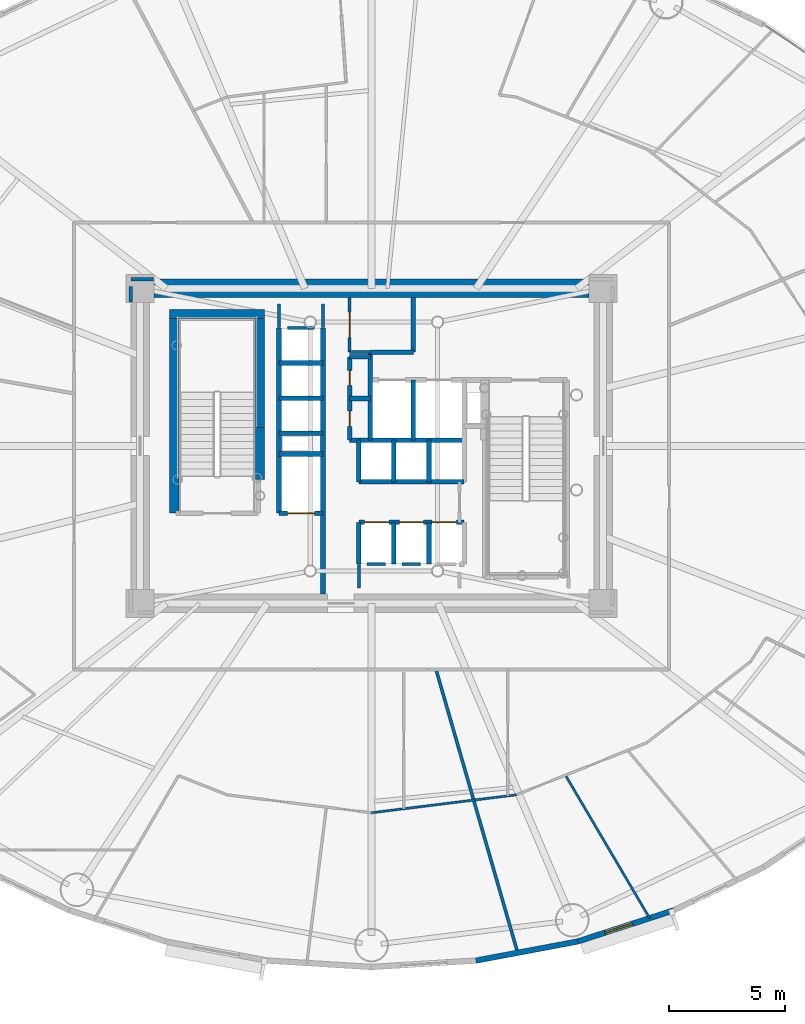
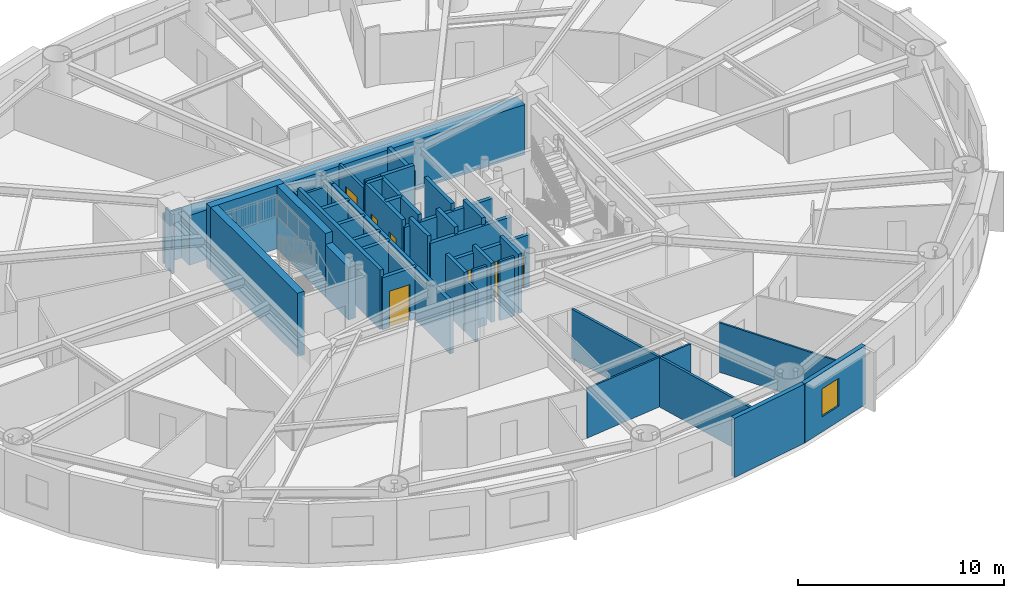
# One storey, part 11 of 20: 43 walls, 7 doors, 1 window, 8 openings.
"""IFC4 building model written with IfcOpenShell, lengths in metres."""

import ifcopenshell
import ifcopenshell.guid

model = None  # the IFC model being written
_history = None  # IfcOwnerHistory: only IFC2X3 demands one
_inside = {}  # id of a spatial element -> (the spatial element, [elements in it])
_under = {}  # id of a project, library or spatial element -> (it, [spatial elements below it])
_declared = {}  # id of a project -> (the project, [libraries it declares])
_typed = {}  # id of a type object -> (the type object, [elements of that type])
_made_of = {}  # id of a material, layer set ... -> (it, [elements and type objects made of it])


def new_model(schema):
    """Start an empty IFC model of exactly this schema.

    Asked for "IFC4X3", IfcOpenShell would pick the latest addendum, in which some entities
    have other attributes; the version numbers below select the first issue.
    IFC2X3 requires an IfcOwnerHistory on every rooted entity: one is made here for all.
    """
    global model, _history
    if schema == "IFC4X3":
        model = ifcopenshell.file(schema_version=(4, 3, 0, 0))
    else:
        model = ifcopenshell.file(schema=schema)
    _inside.clear()
    _under.clear()
    _declared.clear()
    _typed.clear()
    _made_of.clear()
    _history = None
    if model.schema == "IFC2X3":
        org = make("IfcOrganization", Name="unknown")
        user = make(
            "IfcPersonAndOrganization",
            ThePerson=make("IfcPerson", FamilyName="unknown"),
            TheOrganization=org,
        )
        app = make(
            "IfcApplication",
            ApplicationDeveloper=org,
            Version="unknown",
            ApplicationFullName="unknown",
            ApplicationIdentifier="unknown",
        )
        _history = make(
            "IfcOwnerHistory",
            OwningUser=user,
            OwningApplication=app,
            ChangeAction="ADDED",
            CreationDate=0,
        )
    return model


def make(cls, **values):
    """One entity of the class cls with the attributes given. An attribute that is None is left unset."""
    return model.create_entity(
        cls, **{name: value for name, value in values.items() if value is not None}
    )


def rooted(cls, **values):
    """An entity with a GlobalId (a new one), such as an element, a storey or a relation."""
    return make(cls, GlobalId=ifcopenshell.guid.new(), OwnerHistory=_history, **values)


def si_unit(unit_type, name, prefix=None):
    """IfcSIUnit, for example si_unit("LENGTHUNIT", "METRE", prefix="MILLI")."""
    return make("IfcSIUnit", UnitType=unit_type, Prefix=prefix, Name=name)


def assignment(units):
    """IfcUnitAssignment: the units of a project."""
    return None if units is None else make("IfcUnitAssignment", Units=units)


def point(xyz):
    """IfcCartesianPoint."""
    return None if xyz is None else make("IfcCartesianPoint", Coordinates=xyz)


def direction(xyz):
    """IfcDirection."""
    return None if xyz is None else make("IfcDirection", DirectionRatios=xyz)


def frame(location, z_axis=None, x_axis=None):
    """IfcAxis2Placement3D, a coordinate frame: its origin and axes. An axis left out is left unset."""
    return make(
        "IfcAxis2Placement3D",
        Location=point(location),
        Axis=direction(z_axis),
        RefDirection=direction(x_axis),
    )


def frame_2d(location, x_axis=None):
    """IfcAxis2Placement2D, a coordinate frame in the plane: its origin and x axis."""
    return make(
        "IfcAxis2Placement2D", Location=point(location), RefDirection=direction(x_axis)
    )


def origin():
    """The frame at (0, 0, 0) with its axes left unset."""
    return frame((0.0, 0.0, 0.0))


def origin_2d():
    """The frame at (0, 0) in the plane with its x axis left unset."""
    return frame_2d((0.0, 0.0))


def place(relative_to, where):
    """IfcLocalPlacement: puts the frame where relative to a parent placement (None: the world)."""
    return make(
        "IfcLocalPlacement", PlacementRelTo=relative_to, RelativePlacement=where
    )


def context(
    kind, dimensions, precision=None, world=None, true_north=None, identifier=None
):
    """IfcGeometricRepresentationContext, for example the 3D "Model" context."""
    return make(
        "IfcGeometricRepresentationContext",
        ContextIdentifier=identifier,
        ContextType=kind,
        CoordinateSpaceDimension=dimensions,
        Precision=precision,
        WorldCoordinateSystem=world,
        TrueNorth=true_north,
    )


def subcontext(parent, identifier, kind, view, scale=None):
    """IfcGeometricRepresentationSubContext, for example "Body" below "Model"."""
    return make(
        "IfcGeometricRepresentationSubContext",
        ContextIdentifier=identifier,
        ContextType=kind,
        ParentContext=parent,
        TargetScale=scale,
        TargetView=view,
    )


def project(units=None, contexts=None):
    """IfcProject with its units and contexts."""
    return rooted(
        "IfcProject",
        Name="project",
        RepresentationContexts=contexts,
        UnitsInContext=assignment(units),
    )


def spatial(cls, under=None, at=None, **own):
    """A site, building, storey or space (cls), placed at a placement, below another one or the project."""
    s = rooted(cls, ObjectPlacement=at, **own)
    if under is not None:
        _under.setdefault(under.id(), (under, []))[1].append(s)
    return s


def profile(cls, at=None, kind="AREA", **sizes):
    """A parametric profile (cls). Its sizes go by their IFC names, for example OverallWidth=200.0."""
    return make(cls, ProfileType=kind, Position=at, **sizes)


def rectangle(**sizes):
    """IfcRectangleProfileDef."""
    return profile("IfcRectangleProfileDef", **sizes)


def extrude(swept, where, along, depth):
    """IfcExtrudedAreaSolid: the profile swept, set in the frame where, extruded along a direction by depth."""
    return make(
        "IfcExtrudedAreaSolid",
        SweptArea=swept,
        Position=where,
        ExtrudedDirection=direction(along),
        Depth=depth,
    )


def shape(context_of_items, identifier, shape_type, items):
    """IfcShapeRepresentation: the items that make up one representation, for example the "Body"."""
    return make(
        "IfcShapeRepresentation",
        ContextOfItems=context_of_items,
        RepresentationIdentifier=identifier,
        RepresentationType=shape_type,
        Items=items,
    )


def source(mapping_origin, context_of_items, identifier, shape_type, items):
    """IfcRepresentationMap: a shape defined once, which mapped items show again and again."""
    return make(
        "IfcRepresentationMap",
        MappingOrigin=mapping_origin,
        MappedRepresentation=shape(context_of_items, identifier, shape_type, items),
    )


def transform(
    local_origin,
    x_axis=None,
    y_axis=None,
    z_axis=None,
    scale=None,
    scale2=None,
    scale3=None,
    uniform=True,
):
    """IfcCartesianTransformationOperator3D, or its non-uniform kind. x_axis, y_axis, z_axis: its Axis1, 2, 3."""
    if uniform:
        return make(
            "IfcCartesianTransformationOperator3D",
            Axis1=direction(x_axis),
            Axis2=direction(y_axis),
            LocalOrigin=point(local_origin),
            Scale=scale,
            Axis3=direction(z_axis),
        )
    return make(
        "IfcCartesianTransformationOperator3DnonUniform",
        Axis1=direction(x_axis),
        Axis2=direction(y_axis),
        LocalOrigin=point(local_origin),
        Scale=scale,
        Axis3=direction(z_axis),
        Scale2=scale2,
        Scale3=scale3,
    )


def mapped(mapping_source, mapping_target):
    """IfcMappedItem: shows the shape of a source again, moved by a transform."""
    return make(
        "IfcMappedItem", MappingSource=mapping_source, MappingTarget=mapping_target
    )


def material(Name=None, Category=None):
    """IfcMaterial."""
    return make("IfcMaterial", Name=Name, Category=Category)


def layer(
    of_material, thickness, ventilated=None, Name=None, Category=None, Priority=None
):
    """IfcMaterialLayer: one layer of a wall or slab, of a material (None: an air gap)."""
    return make(
        "IfcMaterialLayer",
        Material=of_material,
        LayerThickness=thickness,
        IsVentilated=ventilated,
        Name=Name,
        Category=Category,
        Priority=Priority,
    )


def layer_set(layers, Name=None):
    """IfcMaterialLayerSet."""
    return make("IfcMaterialLayerSet", MaterialLayers=layers, LayerSetName=Name)


def made_of(thing, what):
    """Note that an element or type object is made of a material, layer set ...; save() writes the relation."""
    if what is not None:
        _made_of.setdefault(what.id(), (what, []))[1].append(thing)
    return thing


def type_object(cls, material=None, **own):
    """A type object (cls), such as IfcWallType, which elements share."""
    return made_of(rooted(cls, **own), material)


def element(
    cls,
    number,
    at=None,
    inside=None,
    cuts=None,
    type_object=None,
    material=None,
    context=None,
    identifier="Body",
    shape_type=None,
    held_by="IfcProductDefinitionShape",
    body=None,
    shapes=None,
    **own,
):
    """One element of the class cls, such as IfcWall. Its Tag is "e" and its number.

    at: its placement. inside: the storey or other place that contains it. cuts: it is an
    opening in that element (IfcRelVoidsElement). A single representation is given by context,
    identifier, shape_type and body (its items); several are given by shapes. held_by: the class
    of the entity that holds the representations. save() writes the other relations.
    """
    e = rooted(cls, Tag="e%d" % number, ObjectPlacement=at, **own)
    if body is not None:
        shapes = [shape(context, identifier, shape_type, body)]
    if shapes is not None:
        e.Representation = make(held_by, Representations=shapes)
    if inside is not None:
        _inside.setdefault(inside.id(), (inside, []))[1].append(e)
    if cuts is not None:
        rooted(
            "IfcRelVoidsElement", RelatingBuildingElement=cuts, RelatedOpeningElement=e
        )
    if type_object is not None:
        _typed.setdefault(type_object.id(), (type_object, []))[1].append(e)
    return made_of(e, material)


def fill(opening, filler):
    """IfcRelFillsElement: the door or window that sits in an opening."""
    return rooted(
        "IfcRelFillsElement",
        RelatingOpeningElement=opening,
        RelatedBuildingElement=filler,
    )


def aggregate(whole, parts):
    """IfcRelAggregates: a whole, such as a stair, and the parts it consists of."""
    return rooted("IfcRelAggregates", RelatingObject=whole, RelatedObjects=parts)


def save(model, path):
    """Write the relations noted so far, then the file.

    IfcRelAggregates (storeys below a building ...), IfcRelContainedInSpatialStructure (elements
    in a storey), IfcRelDefinesByType, IfcRelAssociatesMaterial and IfcRelDeclares: one each for
    every whole, place, type object, material and project.
    """
    for whole, parts in _under.values():
        aggregate(whole, parts)
    for where, things in _inside.values():
        rooted(
            "IfcRelContainedInSpatialStructure",
            RelatedElements=things,
            RelatingStructure=where,
        )
    for kind, things in _typed.values():
        rooted("IfcRelDefinesByType", RelatedObjects=things, RelatingType=kind)
    for what, things in _made_of.values():
        rooted("IfcRelAssociatesMaterial", RelatedObjects=things, RelatingMaterial=what)
    for by, libraries in _declared.values():
        rooted("IfcRelDeclares", RelatingContext=by, RelatedDefinitions=libraries)
    model.write(path)


model = new_model("IFC4")

# Units and contexts
model_context = context("Model", 3, precision=1e-05, world=origin(), true_north=direction((0.0, 1.0)))
body_context = subcontext(model_context, "Body", "Model", "MODEL_VIEW")
ifc_project = project(units=[si_unit("LENGTHUNIT", "METRE"), si_unit("AREAUNIT", "SQUARE_METRE"), si_unit("VOLUMEUNIT", "CUBIC_METRE"), si_unit("PLANEANGLEUNIT", "RADIAN"), si_unit("MASSUNIT", "GRAM", prefix="KILO")], contexts=[model_context])

# Site, building, storey
site_placement = place(None, origin())
site = spatial("IfcSite", under=ifc_project, at=site_placement, CompositionType="ELEMENT")
building_placement = place(site_placement, origin())
building = spatial("IfcBuilding", under=site, at=building_placement, Name="Linh Dai School and Residence Tower", CompositionType="ELEMENT")
storey_placement = place(building_placement, frame((0.0, 0.0, 127.199951171875)))
storey = spatial("IfcBuildingStorey", under=building, at=storey_placement, Name="L30", CompositionType="ELEMENT", Elevation=127.199951171875)

# Wall
ifc_material_1 = material(Name="Precast Concrete B45 (C35/45)", Category="concrete")
ifc_layer_1 = layer(ifc_material_1, 0.239990234375)
ifc_layer_set_1 = layer_set([ifc_layer_1], Name="Precast Concrete B45 (C35/45)")
wall_type_1 = type_object("IfcWallType", Name="EW-TC-240", PredefinedType="SOLIDWALL", material=ifc_layer_set_1)
wall_1_placement = place(storey_placement, frame((44.899658203125, 5.5986328125, 0.0), z_axis=(0.0, 0.0, 1.0), x_axis=(-0.982789252177, -0.184730305596, 0.0)))
element("IfcWall", 1, at=wall_1_placement, inside=storey, type_object=wall_type_1, Name="L30 Terracotta Exterior Wall 32", PredefinedType="SOLIDWALL", context=body_context, shape_type="SweptSolid", body=[
    extrude(rectangle(XDim=4.470947265625, YDim=0.239990234375, at=frame_2d((2.2353515625, 0.0))), origin(), (0.0, 0.0, 1.0), 3.5),
])

# Wall, opening, window
wall_2_placement = place(storey_placement, frame((49.073974609375, 6.95263671875, 0.0), z_axis=(0.0, 0.0, 1.0), x_axis=(-0.951211346073, -0.308540070495, 0.0)))
wall_2 = element("IfcWall", 2, at=wall_2_placement, inside=storey, type_object=wall_type_1, Name="L30 Terracotta Exterior Wall 33", PredefinedType="SOLIDWALL", context=body_context, shape_type="SweptSolid", body=[
    extrude(rectangle(XDim=4.388427734375, YDim=0.239990234375, at=frame_2d((2.1943359375, 0.0))), origin(), (0.0, 0.0, 1.0), 3.5),
])
opening_1_placement = place(wall_2_placement, frame((1.902099609375, 0.0, 0.89990234375)))
opening_1 = element("IfcOpeningElement", 3, at=opening_1_placement, cuts=wall_2, Name="Opening W3", PredefinedType="OPENING", context=body_context, shape_type="SweptSolid", body=[
    extrude(rectangle(XDim=1.25, YDim=1.64990234375, at=origin_2d()), frame((0.625, 0.1298828125, 0.824951171875), z_axis=(0.0, -1.0, 0.0), x_axis=(1.0, 0.0, 0.0)), (0.0, 0.0, 1.0), 0.260009765625),
])
ifc_material_2 = material(Name="Double Low-E Insulated Glazing", Category="glass")
window_type = type_object("IfcWindowType", Name="WN-RES-1250x1650", PartitioningType="SINGLE_PANEL", PredefinedType="WINDOW", material=ifc_material_2)
shared_shape_1 = source(origin(), body_context, "Body", "SweptSolid", [
    extrude(rectangle(XDim=1.25, YDim=1.64990234375, at=origin_2d()), frame((0.625, 0.030029296875, 0.824951171875), z_axis=(0.0, -1.0, 0.0), x_axis=(1.0, 0.0, 0.0)), (0.0, 0.0, 1.0), 0.06005859375),
])
window_placement = place(opening_1_placement, origin())
window = element("IfcWindow", 4, at=window_placement, inside=storey, type_object=window_type, Name="L30 Dwelling Window U3002-BD1", OverallHeight=1.64990234375, OverallWidth=1.25, PartitioningType="SINGLE_PANEL", PredefinedType="WINDOW", context=body_context, shape_type="MappedRepresentation", body=[
    mapped(shared_shape_1, transform((0.0, 0.0, 0.0), x_axis=(1.0, 0.0, 0.0), y_axis=(0.0, 1.0, 0.0), z_axis=(0.0, 0.0, 1.0), scale=1.0)),
])
fill(opening_1, window)

# Wall, opening, door
ifc_material_3 = material(Name="Autoclaved Aerated Concrete Blockwork", Category="masonry")
ifc_layer_2 = layer(ifc_material_3, 0.135009765625)
ifc_layer_set_2 = layer_set([ifc_layer_2], Name="Autoclaved Aerated Concrete Blockwork")
wall_type_2 = type_object("IfcWallType", Name="IW-CORR-135-EI90", PredefinedType="PARTITIONING", material=ifc_layer_set_2)
wall_3_placement = place(storey_placement, frame((35.050048828125, 31.050048828125, 0.0), z_axis=(0.0, 0.0, 1.0), x_axis=(0.0, 1.0, 0.0)))
wall_3 = element("IfcWall", 5, at=wall_3_placement, inside=storey, type_object=wall_type_2, Name="L30 Interior Partition Wall 043", PredefinedType="PARTITIONING", context=body_context, shape_type="SweptSolid", body=[
    extrude(rectangle(XDim=2.349853515625, YDim=0.135009765625, at=frame_2d((1.1748046875, 0.0))), origin(), (0.0, 0.0, 1.0), 3.0849609375),
])
opening_2_placement = place(wall_3_placement, frame((0.625, 0.0, 0.0)))
opening_2 = element("IfcOpeningElement", 6, at=opening_2_placement, cuts=wall_3, Name="Opening D07", PredefinedType="OPENING", context=body_context, shape_type="SweptSolid", body=[
    extrude(rectangle(XDim=1.10009765625, YDim=2.14990234375, at=origin_2d()), frame((0.550048828125, 0.07763671875, 1.074951171875), z_axis=(0.0, -1.0, 0.0), x_axis=(1.0, 0.0, 0.0)), (0.0, 0.0, 1.0), 0.155029296875),
])
ifc_material_4 = material(Name="Fire-Rated Louvred Steel Plant Door", Category="steel")
door_type_1 = type_object("IfcDoorType", Name="DR-PLT-1100x2150-FD60S", OperationType="NOTDEFINED", PredefinedType="DOOR", material=ifc_material_4)
shared_shape_2 = source(origin(), body_context, "Body", "SweptSolid", [
    extrude(rectangle(XDim=1.10009765625, YDim=2.14990234375, at=origin_2d()), frame((0.550048828125, 0.02490234375, 1.074951171875), z_axis=(0.0, -1.0, 0.0), x_axis=(1.0, 0.0, 0.0)), (0.0, 0.0, 1.0), 0.050048828125),
])
door_1_placement = place(opening_2_placement, origin())
door_1 = element("IfcDoor", 7, at=door_1_placement, inside=storey, type_object=door_type_1, Name="L30 North BMS Switchroom Door", OperationType="SINGLE_SWING_LEFT", OverallHeight=2.14990234375, OverallWidth=1.10009765625, PredefinedType="DOOR", context=body_context, shape_type="MappedRepresentation", body=[
    mapped(shared_shape_2, transform((0.0, 0.0, 0.0), x_axis=(1.0, 0.0, 0.0), y_axis=(0.0, 1.0, 0.0), z_axis=(0.0, 0.0, 1.0), scale=1.0)),
])
fill(opening_2, door_1)

# Walls
wall_4_placement = place(storey_placement, frame((35.050048828125, 31.050048828125, 0.0), z_axis=(0.0, 0.0, 1.0), x_axis=(1.0, 0.0, 0.0)))
element("IfcWall", 8, at=wall_4_placement, inside=storey, type_object=wall_type_2, Name="L30 Interior Partition Wall 044", PredefinedType="PARTITIONING", context=body_context, shape_type="SweptSolid", body=[
    extrude(rectangle(XDim=0.89990234375, YDim=0.135009765625, at=frame_2d((0.449951171875, 0.0))), origin(), (0.0, 0.0, 1.0), 3.5),
])
wall_5_placement = place(storey_placement, frame((38.78173828125, 17.35009765625, 0.0), z_axis=(0.0, 0.0, 1.0), x_axis=(0.27698784025, -0.96087342369, 0.0)))
element("IfcWall", 9, at=wall_5_placement, inside=storey, type_object=wall_type_2, Name="L30 Interior Partition Wall 062", PredefinedType="PARTITIONING", context=body_context, shape_type="SweptSolid", body=[
    extrude(rectangle(XDim=12.74169921875, YDim=0.135009765625, at=frame_2d((6.370849609375, 0.0))), origin(), (0.0, 0.0, 1.0), 2.93505859375),
])
wall_6_placement = place(storey_placement, frame((36.60009765625, 21.89990234375, 0.0), z_axis=(0.0, 0.0, 1.0), x_axis=(-1.0, 0.0, 0.0)))
element("IfcWall", 10, at=wall_6_placement, inside=storey, type_object=wall_type_2, Name="L30 Interior Partition Wall 095", PredefinedType="PARTITIONING", context=body_context, shape_type="SweptSolid", body=[
    extrude(rectangle(XDim=0.7900390625, YDim=0.135009765625, at=frame_2d((0.39501953125, 0.0))), origin(), (0.0, 0.0, 1.0), 3.5),
])
wall_7_placement = place(storey_placement, frame((38.1201171875, 21.89990234375, 0.0), z_axis=(0.0, 0.0, 1.0), x_axis=(-1.0, 0.0, 0.0)))
element("IfcWall", 11, at=wall_7_placement, inside=storey, type_object=wall_type_2, Name="L30 Interior Partition Wall 096", PredefinedType="PARTITIONING", context=body_context, shape_type="SweptSolid", body=[
    extrude(rectangle(XDim=0.800048828125, YDim=0.135009765625, at=frame_2d((0.39990234375, 0.0))), origin(), (0.0, 0.0, 1.0), 3.5),
])
wall_8_placement = place(storey_placement, frame((32.360107421875, 32.10009765625, 0.0), z_axis=(0.0, 0.0, 1.0), x_axis=(1.0, 0.0, 0.0)))
element("IfcWall", 12, at=wall_8_placement, inside=storey, type_object=wall_type_2, Name="L30 Interior Partition Wall 098", PredefinedType="PARTITIONING", context=body_context, shape_type="SweptSolid", body=[
    extrude(rectangle(XDim=1.179931640625, YDim=0.135009765625, at=frame_2d((0.58984375, 0.0))), origin(), (0.0, 0.0, 1.0), 3.0849609375),
])
wall_9_placement = place(storey_placement, frame((32.0, 33.139892578125, 0.0), z_axis=(0.0, 0.0, 1.0), x_axis=(0.0, -1.0, 0.0)))
element("IfcWall", 13, at=wall_9_placement, inside=storey, type_object=wall_type_2, Name="L30 Interior Partition Wall 100", PredefinedType="PARTITIONING", context=body_context, shape_type="SweptSolid", body=[
    extrude(rectangle(XDim=1.02978515625, YDim=0.135009765625, at=frame_2d((0.514892578125, 0.0))), origin(), (0.0, 0.0, 1.0), 3.03515625),
])
for number, where, z_axis, x_axis, name in (
    (14, (35.449951171875, 21.889892578125, 0.0), (0.0, 0.0, 1.0), (0.0, -1.0, 0.0), "L30 Interior Partition Wall 102"),
    (15, (33.89990234375, 32.110107421875, 0.0), (0.0, 0.0, 1.0), (0.0, 1.0, 0.0), "L30 Interior Partition Wall 103"),
):
    element("IfcWall", number, at=place(storey_placement, frame(where, z_axis=z_axis, x_axis=x_axis)), inside=storey, type_object=wall_type_2, Name=name, PredefinedType="PARTITIONING", context=body_context, shape_type="SweptSolid", body=[
        extrude(rectangle(XDim=1.02978515625, YDim=0.135009765625, at=frame_2d((0.514892578125, 0.0))), origin(), (0.0, 0.0, 1.0), 3.0849609375),
    ])
wall_10_placement = place(storey_placement, frame((26.590087890625, 34.199951171875, 0.0), z_axis=(0.0, 0.0, 1.0), x_axis=(-1.0, 0.0, 0.0)))
element("IfcWall", 16, at=wall_10_placement, inside=storey, type_object=wall_type_2, Name="L30 Interior Partition Wall 107", PredefinedType="PARTITIONING", context=body_context, shape_type="SweptSolid", body=[
    extrude(rectangle(XDim=0.989990234375, YDim=0.135009765625, at=frame_2d((0.4951171875, 0.0))), origin(), (0.0, 0.0, 1.0), 2.93505859375),
])
wall_11_placement = place(storey_placement, frame((25.60009765625, 33.892578125, 0.0), z_axis=(0.0, 0.0, 1.0), x_axis=(0.0, -1.0, 0.0)))
element("IfcWall", 17, at=wall_11_placement, inside=storey, type_object=wall_type_2, Name="L30 Interior Partition Wall 108", PredefinedType="PARTITIONING", context=body_context, shape_type="SweptSolid", body=[
    extrude(rectangle(XDim=0.6826171875, YDim=0.135009765625, at=frame_2d((0.34130859375, 0.0))), origin(), (0.0, 0.0, 1.0), 3.5),
])
ifc_material_5 = material(Name="Concrete B45 (C35/45)", Category="concrete")
ifc_layer_3 = layer(ifc_material_5, 0.199951171875)
ifc_layer_set_3 = layer_set([ifc_layer_3], Name="Concrete B45 (C35/45)")
wall_type_3 = type_object("IfcWallType", Name="IW-SHAFT-200-EI120", PredefinedType="PARTITIONING", material=ifc_layer_set_3)
wall_12_placement = place(storey_placement, frame((32.0, 24.10009765625, 0.0), z_axis=(0.0, 0.0, 1.0), x_axis=(0.0, 1.0, 0.0)))
element("IfcWall", 18, at=wall_12_placement, inside=storey, type_object=wall_type_3, Name="L30 Interior Partition Wall 029", PredefinedType="PARTITIONING", context=body_context, shape_type="SweptSolid", body=[
    extrude(rectangle(XDim=8.0, YDim=0.199951171875, at=frame_2d((4.0, 0.0))), origin(), (0.0, 0.0, 1.0), 3.5),
])

# Wall, opening, door
wall_13_placement = place(storey_placement, frame((32.0, 24.10009765625, 0.0), z_axis=(0.0, 0.0, 1.0), x_axis=(1.0, 0.0, 0.0)))
wall_13 = element("IfcWall", 19, at=wall_13_placement, inside=storey, type_object=wall_type_3, Name="L30 Interior Partition Wall 030", PredefinedType="PARTITIONING", context=body_context, shape_type="SweptSolid", body=[
    extrude(rectangle(XDim=1.89990234375, YDim=0.199951171875, at=frame_2d((0.949951171875, 0.0))), origin(), (0.0, 0.0, 1.0), 3.0849609375),
])
opening_3_placement = place(wall_13_placement, frame((0.375, 0.0, 0.0)))
opening_3 = element("IfcOpeningElement", 20, at=opening_3_placement, cuts=wall_13, Name="Opening LD-FF2", PredefinedType="OPENING", context=body_context, shape_type="SweptSolid", body=[
    extrude(rectangle(XDim=1.14990234375, YDim=2.14990234375, at=origin_2d()), frame((0.574951171875, 0.10986328125, 1.074951171875), z_axis=(0.0, -1.0, 0.0), x_axis=(1.0, 0.0, 0.0)), (0.0, 0.0, 1.0), 0.219970703125),
])
ifc_material_6 = material(Name="Fire-Rated Stainless Steel Firefighting Lift Door", Category="steel")
door_type_2 = type_object("IfcDoorType", Name="DR-LD-FF-1150x2150-FD120", OperationType="DOUBLE_DOOR_SLIDING", PredefinedType="USERDEFINED", material=ifc_material_6)
shared_shape_3 = source(origin(), body_context, "Body", "SweptSolid", [
    extrude(rectangle(XDim=1.14990234375, YDim=2.14990234375, at=origin_2d()), frame((0.574951171875, 0.02490234375, 1.074951171875), z_axis=(0.0, -1.0, 0.0), x_axis=(1.0, 0.0, 0.0)), (0.0, 0.0, 1.0), 0.050048828125),
])
door_2_placement = place(opening_3_placement, origin())
door_2 = element("IfcDoor", 21, at=door_2_placement, inside=storey, type_object=door_type_2, Name="L30 Lift FF2 Sliding Landing Door", ObjectType="LANDING DOOR", OperationType="DOUBLE_DOOR_SLIDING", OverallHeight=2.14990234375, OverallWidth=1.14990234375, PredefinedType="USERDEFINED", context=body_context, shape_type="MappedRepresentation", body=[
    mapped(shared_shape_3, transform((0.0, 0.0, 0.0), x_axis=(1.0, 0.0, 0.0), y_axis=(0.0, 1.0, 0.0), z_axis=(0.0, 0.0, 1.0), scale=1.0)),
])
fill(opening_3, door_2)

# Walls
for number, where, z_axis, x_axis, name in (
    (22, (32.0, 26.64990234375, 0.0), (0.0, 0.0, 1.0), (1.0, 0.0, 0.0), "L30 Interior Partition Wall 031"),
    (23, (32.0, 27.550048828125, 0.0), (0.0, 0.0, 1.0), (1.0, 0.0, 0.0), "L30 Interior Partition Wall 032"),
    (24, (32.0, 29.06005859375, 0.0), (0.0, 0.0, 1.0), (1.0, 0.0, 0.0), "L30 Interior Partition Wall 033"),
    (25, (32.0, 30.580078125, 0.0), (0.0, 0.0, 1.0), (1.0, 0.0, 0.0), "L30 Interior Partition Wall 034"),
):
    element("IfcWall", number, at=place(storey_placement, frame(where, z_axis=z_axis, x_axis=x_axis)), inside=storey, type_object=wall_type_3, Name=name, PredefinedType="PARTITIONING", context=body_context, shape_type="SweptSolid", body=[
        extrude(rectangle(XDim=1.89990234375, YDim=0.199951171875, at=frame_2d((0.949951171875, 0.0))), origin(), (0.0, 0.0, 1.0), 3.0849609375),
    ])
wall_14_placement = place(storey_placement, frame((33.89990234375, 20.60009765625, 0.0), z_axis=(0.0, 0.0, 1.0), x_axis=(0.0, 1.0, 0.0)))
element("IfcWall", 26, at=wall_14_placement, inside=storey, type_object=wall_type_3, Name="L30 Interior Partition Wall 036", PredefinedType="PARTITIONING", context=body_context, shape_type="SweptSolid", body=[
    extrude(rectangle(XDim=11.5, YDim=0.199951171875, at=frame_2d((5.75, 0.0))), origin(), (0.0, 0.0, 1.0), 3.0849609375),
])

# Wall, openings, doors
wall_15_placement = place(storey_placement, frame((35.050048828125, 27.25, 0.0), z_axis=(0.0, 0.0, 1.0), x_axis=(0.0, 1.0, 0.0)))
wall_15 = element("IfcWall", 27, at=wall_15_placement, inside=storey, type_object=wall_type_3, Name="L30 Interior Partition Wall 039", PredefinedType="PARTITIONING", context=body_context, shape_type="SweptSolid", body=[
    extrude(rectangle(XDim=3.60009765625, YDim=0.199951171875, at=frame_2d((1.800048828125, 0.0))), origin(), (0.0, 0.0, 1.0), 3.5),
])
opening_4_placement = place(wall_15_placement, frame((0.590087890625, 0.0, 0.0)))
opening_4 = element("IfcOpeningElement", 28, at=opening_4_placement, cuts=wall_15, Name="Opening AD1", PredefinedType="OPENING", context=body_context, shape_type="SweptSolid", body=[
    extrude(rectangle(XDim=0.659912109375, YDim=2.050048828125, at=origin_2d()), frame((0.330078125, 0.10986328125, 1.02490234375), z_axis=(0.0, -1.0, 0.0), x_axis=(1.0, 0.0, 0.0)), (0.0, 0.0, 1.0), 0.219970703125),
])
opening_5_placement = place(wall_15_placement, frame((2.35009765625, 0.0, 0.0)))
opening_5 = element("IfcOpeningElement", 29, at=opening_5_placement, cuts=wall_15, Name="Opening AD1", PredefinedType="OPENING", context=body_context, shape_type="SweptSolid", body=[
    extrude(rectangle(XDim=0.659912109375, YDim=2.050048828125, at=origin_2d()), frame((0.330078125, 0.10986328125, 1.02490234375), z_axis=(0.0, -1.0, 0.0), x_axis=(1.0, 0.0, 0.0)), (0.0, 0.0, 1.0), 0.219970703125),
])
ifc_material_7 = material(Name="Fire-Rated Steel Riser Access Door", Category="steel")
door_type_3 = type_object("IfcDoorType", Name="DR-ACC-660x2050-FD90S", OperationType="NOTDEFINED", PredefinedType="USERDEFINED", material=ifc_material_7)
shared_shape_4 = source(origin(), body_context, "Body", "SweptSolid", [
    extrude(rectangle(XDim=0.659912109375, YDim=2.050048828125, at=origin_2d()), frame((0.330078125, 0.02490234375, 1.02490234375), z_axis=(0.0, -1.0, 0.0), x_axis=(1.0, 0.0, 0.0)), (0.0, 0.0, 1.0), 0.050048828125),
])
door_3_placement = place(opening_4_placement, origin())
door_3 = element("IfcDoor", 30, at=door_3_placement, inside=storey, type_object=door_type_3, Name="L30 Telecom and Data Riser Access Door", ObjectType="ACCESS DOOR", OperationType="SINGLE_SWING_LEFT", OverallHeight=2.050048828125, OverallWidth=0.659912109375, PredefinedType="USERDEFINED", context=body_context, shape_type="MappedRepresentation", body=[
    mapped(shared_shape_4, transform((0.0, 0.0, 0.0), x_axis=(1.0, 0.0, 0.0), y_axis=(0.0, 1.0, 0.0), z_axis=(0.0, 0.0, 1.0), scale=1.0)),
])
fill(opening_4, door_3)
door_4_placement = place(opening_5_placement, origin())
door_4 = element("IfcDoor", 31, at=door_4_placement, inside=storey, type_object=door_type_3, Name="L30 Mechanical and Plumbing Riser Access Door", ObjectType="ACCESS DOOR", OperationType="SINGLE_SWING_RIGHT", OverallHeight=2.050048828125, OverallWidth=0.659912109375, PredefinedType="USERDEFINED", context=body_context, shape_type="MappedRepresentation", body=[
    mapped(shared_shape_4, transform((0.0, 0.0, 0.0), x_axis=(1.0, 0.0, 0.0), y_axis=(0.0, 1.0, 0.0), z_axis=(0.0, 0.0, 1.0), scale=1.0)),
])
fill(opening_5, door_4)

# Walls
wall_16_placement = place(storey_placement, frame((35.050048828125, 27.25, 0.0), z_axis=(0.0, 0.0, 1.0), x_axis=(1.0, 0.0, 0.0)))
element("IfcWall", 32, at=wall_16_placement, inside=storey, type_object=wall_type_3, Name="L30 Interior Partition Wall 040", PredefinedType="PARTITIONING", context=body_context, shape_type="SweptSolid", body=[
    extrude(rectangle(XDim=4.949951171875, YDim=0.199951171875, at=frame_2d((2.47509765625, 0.0))), origin(), (0.0, 0.0, 1.0), 3.0849609375),
])
for number, where, z_axis, x_axis, name in (
    (33, (35.050048828125, 29.050048828125, 0.0), (0.0, 0.0, 1.0), (1.0, 0.0, 0.0), "L30 Interior Partition Wall 041"),
    (34, (35.050048828125, 30.85009765625, 0.0), (0.0, 0.0, 1.0), (1.0, 0.0, 0.0), "L30 Interior Partition Wall 042"),
):
    element("IfcWall", number, at=place(storey_placement, frame(where, z_axis=z_axis, x_axis=x_axis)), inside=storey, type_object=wall_type_3, Name=name, PredefinedType="PARTITIONING", context=body_context, shape_type="SweptSolid", body=[
        extrude(rectangle(XDim=0.89990234375, YDim=0.199951171875, at=frame_2d((0.449951171875, 0.0))), origin(), (0.0, 0.0, 1.0), 3.5),
    ])
wall_17_placement = place(storey_placement, frame((35.449951171875, 21.89990234375, 0.0), z_axis=(0.0, 0.0, 1.0), x_axis=(0.0, 1.0, 0.0)))
element("IfcWall", 35, at=wall_17_placement, inside=storey, type_object=wall_type_3, Name="L30 Interior Partition Wall 046", PredefinedType="PARTITIONING", context=body_context, shape_type="SweptSolid", body=[
    extrude(rectangle(XDim=1.800048828125, YDim=0.199951171875, at=frame_2d((0.89990234375, 0.0))), origin(), (0.0, 0.0, 1.0), 3.5),
])

# Wall, openings, doors
wall_18_placement = place(storey_placement, frame((35.449951171875, 23.699951171875, 0.0), z_axis=(0.0, 0.0, 1.0), x_axis=(1.0, 0.0, 0.0)))
wall_18 = element("IfcWall", 36, at=wall_18_placement, inside=storey, type_object=wall_type_3, Name="L30 Interior Partition Wall 047", PredefinedType="PARTITIONING", context=body_context, shape_type="SweptSolid", body=[
    extrude(rectangle(XDim=4.550048828125, YDim=0.199951171875, at=frame_2d((2.27490234375, 0.0))), origin(), (0.0, 0.0, 1.0), 3.0849609375),
])
opening_6_placement = place(wall_18_placement, frame((0.25, 0.0, 0.0)))
opening_6 = element("IfcOpeningElement", 37, at=opening_6_placement, cuts=wall_18, Name="Opening LD-PL1", PredefinedType="OPENING", context=body_context, shape_type="SweptSolid", body=[
    extrude(rectangle(XDim=1.050048828125, YDim=2.14990234375, at=origin_2d()), frame((0.52490234375, 0.10986328125, 1.074951171875), z_axis=(0.0, -1.0, 0.0), x_axis=(1.0, 0.0, 0.0)), (0.0, 0.0, 1.0), 0.219970703125),
])
opening_7_placement = place(wall_18_placement, frame((1.7451171875, 0.0, 0.0)))
opening_7 = element("IfcOpeningElement", 38, at=opening_7_placement, cuts=wall_18, Name="Opening LD-PL2", PredefinedType="OPENING", context=body_context, shape_type="SweptSolid", body=[
    extrude(rectangle(XDim=1.050048828125, YDim=2.14990234375, at=origin_2d()), frame((0.52490234375, 0.10986328125, 1.074951171875), z_axis=(0.0, -1.0, 0.0), x_axis=(1.0, 0.0, 0.0)), (0.0, 0.0, 1.0), 0.219970703125),
])
opening_8_placement = place(wall_18_placement, frame((3.1650390625, 0.0, 0.0)))
opening_8 = element("IfcOpeningElement", 39, at=opening_8_placement, cuts=wall_18, Name="Opening LD-PL3", PredefinedType="OPENING", context=body_context, shape_type="SweptSolid", body=[
    extrude(rectangle(XDim=1.050048828125, YDim=2.14990234375, at=origin_2d()), frame((0.52490234375, 0.10986328125, 1.074951171875), z_axis=(0.0, -1.0, 0.0), x_axis=(1.0, 0.0, 0.0)), (0.0, 0.0, 1.0), 0.219970703125),
])
ifc_material_8 = material(Name="Brushed Stainless Steel Lift Landing Door", Category="steel")
door_type_4 = type_object("IfcDoorType", Name="DR-LD-PASS-1050x2150", OperationType="DOUBLE_DOOR_SLIDING", PredefinedType="USERDEFINED", material=ifc_material_8)
shared_shape_5 = source(origin(), body_context, "Body", "SweptSolid", [
    extrude(rectangle(XDim=1.050048828125, YDim=2.14990234375, at=origin_2d()), frame((0.52490234375, 0.02490234375, 1.074951171875), z_axis=(0.0, -1.0, 0.0), x_axis=(1.0, 0.0, 0.0)), (0.0, 0.0, 1.0), 0.050048828125),
])
door_5_placement = place(opening_6_placement, origin())
door_5 = element("IfcDoor", 40, at=door_5_placement, inside=storey, type_object=door_type_4, Name="L30 Lift PL1 Sliding Landing Door", ObjectType="LANDING DOOR", OperationType="DOUBLE_DOOR_SLIDING", OverallHeight=2.14990234375, OverallWidth=1.050048828125, PredefinedType="USERDEFINED", context=body_context, shape_type="MappedRepresentation", body=[
    mapped(shared_shape_5, transform((0.0, 0.0, 0.0), x_axis=(1.0, 0.0, 0.0), y_axis=(0.0, 1.0, 0.0), z_axis=(0.0, 0.0, 1.0), scale=1.0)),
])
fill(opening_6, door_5)
door_6_placement = place(opening_7_placement, origin())
door_6 = element("IfcDoor", 41, at=door_6_placement, inside=storey, type_object=door_type_4, Name="L30 Lift PL2 Sliding Landing Door", ObjectType="LANDING DOOR", OperationType="DOUBLE_DOOR_SLIDING", OverallHeight=2.14990234375, OverallWidth=1.050048828125, PredefinedType="USERDEFINED", context=body_context, shape_type="MappedRepresentation", body=[
    mapped(shared_shape_5, transform((0.0, 0.0, 0.0), x_axis=(1.0, 0.0, 0.0), y_axis=(0.0, 1.0, 0.0), z_axis=(0.0, 0.0, 1.0), scale=1.0)),
])
fill(opening_7, door_6)
door_7_placement = place(opening_8_placement, origin())
door_7 = element("IfcDoor", 42, at=door_7_placement, inside=storey, type_object=door_type_4, Name="L30 Lift PL3 Sliding Landing Door", ObjectType="LANDING DOOR", OperationType="DOUBLE_DOOR_SLIDING", OverallHeight=2.14990234375, OverallWidth=1.050048828125, PredefinedType="USERDEFINED", context=body_context, shape_type="MappedRepresentation", body=[
    mapped(shared_shape_5, transform((0.0, 0.0, 0.0), x_axis=(1.0, 0.0, 0.0), y_axis=(0.0, 1.0, 0.0), z_axis=(0.0, 0.0, 1.0), scale=1.0)),
])
fill(opening_8, door_7)

# Walls
wall_19_placement = place(storey_placement, frame((35.449951171875, 25.449951171875, 0.0), z_axis=(0.0, 0.0, 1.0), x_axis=(0.0, 1.0, 0.0)))
element("IfcWall", 43, at=wall_19_placement, inside=storey, type_object=wall_type_3, Name="L30 Interior Partition Wall 048", PredefinedType="PARTITIONING", context=body_context, shape_type="SweptSolid", body=[
    extrude(rectangle(XDim=1.800048828125, YDim=0.199951171875, at=frame_2d((0.89990234375, 0.0))), origin(), (0.0, 0.0, 1.0), 3.5),
])
wall_20_placement = place(storey_placement, frame((35.449951171875, 25.449951171875, 0.0), z_axis=(0.0, 0.0, 1.0), x_axis=(1.0, 0.0, 0.0)))
element("IfcWall", 44, at=wall_20_placement, inside=storey, type_object=wall_type_3, Name="L30 Interior Partition Wall 049", PredefinedType="PARTITIONING", context=body_context, shape_type="SweptSolid", body=[
    extrude(rectangle(XDim=4.550048828125, YDim=0.199951171875, at=frame_2d((2.27490234375, 0.0))), origin(), (0.0, 0.0, 1.0), 3.0849609375),
])
wall_21_placement = place(storey_placement, frame((35.949951171875, 27.25, 0.0), z_axis=(0.0, 0.0, 1.0), x_axis=(0.0, 1.0, 0.0)))
element("IfcWall", 45, at=wall_21_placement, inside=storey, type_object=wall_type_3, Name="L30 Interior Partition Wall 050", PredefinedType="PARTITIONING", context=body_context, shape_type="SweptSolid", body=[
    extrude(rectangle(XDim=3.800048828125, YDim=0.199951171875, at=frame_2d((1.89990234375, 0.0))), origin(), (0.0, 0.0, 1.0), 3.5),
])
wall_22_placement = place(storey_placement, frame((35.9599609375, 31.050048828125, 0.0), z_axis=(0.0, 0.0, 1.0), x_axis=(1.0, 0.0, 0.0)))
element("IfcWall", 46, at=wall_22_placement, inside=storey, type_object=wall_type_3, Name="L30 Interior Partition Wall 052", PredefinedType="PARTITIONING", context=body_context, shape_type="SweptSolid", body=[
    extrude(rectangle(XDim=1.840087890625, YDim=0.199951171875, at=frame_2d((0.919921875, 0.0))), origin(), (0.0, 0.0, 1.0), 3.5),
])
for number, where, z_axis, x_axis, name in (
    (47, (36.9599609375, 21.89990234375, 0.0), (0.0, 0.0, 1.0), (0.0, 1.0, 0.0), "L30 Interior Partition Wall 054"),
    (48, (36.9599609375, 25.449951171875, 0.0), (0.0, 0.0, 1.0), (0.0, 1.0, 0.0), "L30 Interior Partition Wall 055"),
):
    element("IfcWall", number, at=place(storey_placement, frame(where, z_axis=z_axis, x_axis=x_axis)), inside=storey, type_object=wall_type_3, Name=name, PredefinedType="PARTITIONING", context=body_context, shape_type="SweptSolid", body=[
        extrude(rectangle(XDim=1.800048828125, YDim=0.199951171875, at=frame_2d((0.89990234375, 0.0))), origin(), (0.0, 0.0, 1.0), 3.5),
    ])
wall_23_placement = place(storey_placement, frame((37.800048828125, 27.25, 0.0), z_axis=(0.0, 0.0, 1.0), x_axis=(0.0, 1.0, 0.0)))
element("IfcWall", 49, at=wall_23_placement, inside=storey, type_object=wall_type_3, Name="L30 Interior Partition Wall 057", PredefinedType="PARTITIONING", context=body_context, shape_type="SweptSolid", body=[
    extrude(rectangle(XDim=2.60009765625, YDim=0.199951171875, at=frame_2d((1.300048828125, 0.0))), origin(), (0.0, 0.0, 1.0), 3.5),
])
wall_24_placement = place(storey_placement, frame((37.800048828125, 31.050048828125, 0.0), z_axis=(0.0, 0.0, 1.0), x_axis=(0.0, 1.0, 0.0)))
element("IfcWall", 50, at=wall_24_placement, inside=storey, type_object=wall_type_3, Name="L30 Interior Partition Wall 058", PredefinedType="PARTITIONING", context=body_context, shape_type="SweptSolid", body=[
    extrude(rectangle(XDim=2.349853515625, YDim=0.199951171875, at=frame_2d((1.1748046875, 0.0))), origin(), (0.0, 0.0, 1.0), 3.0849609375),
])
for number, where, z_axis, x_axis, name in (
    (51, (38.47998046875, 21.89990234375, 0.0), (0.0, 0.0, 1.0), (0.0, 1.0, 0.0), "L30 Interior Partition Wall 060"),
    (52, (38.47998046875, 25.449951171875, 0.0), (0.0, 0.0, 1.0), (0.0, 1.0, 0.0), "L30 Interior Partition Wall 061"),
):
    element("IfcWall", number, at=place(storey_placement, frame(where, z_axis=z_axis, x_axis=x_axis)), inside=storey, type_object=wall_type_3, Name=name, PredefinedType="PARTITIONING", context=body_context, shape_type="SweptSolid", body=[
        extrude(rectangle(XDim=1.800048828125, YDim=0.199951171875, at=frame_2d((0.89990234375, 0.0))), origin(), (0.0, 0.0, 1.0), 3.5),
    ])
ifc_material_9 = material(Name="Gypsum Plasterboard Acoustic Stud Partition", Category="masonry")
ifc_layer_4 = layer(ifc_material_9, 0.10009765625)
ifc_layer_set_4 = layer_set([ifc_layer_4], Name="Gypsum Plasterboard Acoustic Stud Partition")
wall_type_4 = type_object("IfcWallType", Name="IW-UNIT-100", PredefinedType="PARTITIONING", material=ifc_layer_set_4)
wall_25_placement = place(storey_placement, frame((36.0, 11.158935546875, 0.0), z_axis=(0.0, 0.0, 1.0), x_axis=(0.992395485088, 0.123090215599, 0.0)))
element("IfcWall", 53, at=wall_25_placement, inside=storey, type_object=wall_type_4, Name="L30 Interior Partition Wall 053", PredefinedType="PARTITIONING", context=body_context, shape_type="SweptSolid", body=[
    extrude(rectangle(XDim=6.29931640625, YDim=0.10009765625, at=frame_2d((3.149658203125, 0.0))), origin(), (0.0, 0.0, 1.0), 2.93505859375),
])
wall_26_placement = place(storey_placement, frame((44.3720703125, 12.780517578125, 0.0), z_axis=(0.0, 0.0, 1.0), x_axis=(0.50733706245, -0.861747703835, 0.0)))
element("IfcWall", 54, at=wall_26_placement, inside=storey, type_object=wall_type_4, Name="L30 Interior Partition Wall 075", PredefinedType="PARTITIONING", context=body_context, shape_type="SweptSolid", body=[
    extrude(rectangle(XDim=7.169677734375, YDim=0.10009765625, at=frame_2d((3.5849609375, 0.0))), origin(), (0.0, 0.0, 1.0), 2.93505859375),
])
ifc_layer_5 = layer(ifc_material_5, 0.39990234375)
ifc_layer_set_5 = layer_set([ifc_layer_5], Name="Concrete B45 (C35/45)")
wall_type_5 = type_object("IfcWallType", Name="WL-CORE400", PredefinedType="SHEAR", material=ifc_layer_set_5)
wall_27_placement = place(storey_placement, frame((27.47998046875, 24.10009765625, 0.0), z_axis=(0.0, 0.0, 1.0), x_axis=(0.0, 1.0, 0.0)))
element("IfcWall", 55, at=wall_27_placement, inside=storey, type_object=wall_type_5, Name="L30 Core Stair ST1 Bearing Wall W", PredefinedType="SHEAR", context=body_context, shape_type="SweptSolid", body=[
    extrude(rectangle(XDim=8.599853515625, YDim=0.39990234375, at=frame_2d((4.2998046875, 0.0))), origin(), (0.0, 0.0, 1.0), 3.75),
])
wall_28_placement = place(storey_placement, frame((31.179931640625, 27.800048828125, 0.0), z_axis=(0.0, 0.0, 1.0), x_axis=(0.0, 1.0, 0.0)))
element("IfcWall", 56, at=wall_28_placement, inside=storey, type_object=wall_type_5, Name="L30 Core Stair ST1 Bearing Wall E", PredefinedType="SHEAR", context=body_context, shape_type="SweptSolid", body=[
    extrude(rectangle(XDim=4.89990234375, YDim=0.39990234375, at=frame_2d((2.449951171875, 0.0))), origin(), (0.0, 0.0, 1.0), 3.75),
])
wall_29_placement = place(storey_placement, frame((27.280029296875, 32.699951171875, 0.0), z_axis=(0.0, 0.0, 1.0), x_axis=(1.0, 0.0, 0.0)))
element("IfcWall", 57, at=wall_29_placement, inside=storey, type_object=wall_type_5, Name="L30 Core Stair ST1 Bearing Wall N", PredefinedType="SHEAR", context=body_context, shape_type="SweptSolid", body=[
    extrude(rectangle(XDim=4.099853515625, YDim=0.39990234375, at=frame_2d((2.0498046875, 0.0))), origin(), (0.0, 0.0, 1.0), 3.75),
])
wall_30_placement = place(storey_placement, frame((31.179931640625, 25.550048828125, 0.0), z_axis=(0.0, 0.0, 1.0), x_axis=(0.0, 1.0, 0.0)))
element("IfcWall", 58, at=wall_30_placement, inside=storey, type_object=wall_type_5, Name="L30 Internal Core Shear Wall IW", PredefinedType="SHEAR", context=body_context, shape_type="SweptSolid", body=[
    extrude(rectangle(XDim=2.25, YDim=0.39990234375, at=frame_2d((1.125, 0.0))), origin(), (0.0, 0.0, 1.0), 3.10009765625),
])
ifc_material_10 = material(Name="Concrete B60 (C50/60)", Category="concrete")
ifc_layer_6 = layer(ifc_material_10, 0.800048828125)
ifc_layer_set_6 = layer_set([ifc_layer_6], Name="Concrete B60 (C50/60)")
wall_type_6 = type_object("IfcWallType", Name="WL-CORE800", PredefinedType="SHEAR", material=ifc_layer_set_6)
wall_31_placement = place(storey_placement, frame((26.60009765625, 33.800048828125, 0.0), z_axis=(0.0, 0.0, 1.0), x_axis=(1.0, 0.0, 0.0)))
element("IfcWall", 59, at=wall_31_placement, inside=storey, type_object=wall_type_6, Name="L30 Central Core Shear Wall N", PredefinedType="SHEAR", context=body_context, shape_type="SweptSolid", body=[
    extrude(rectangle(XDim=18.7998046875, YDim=0.800048828125, at=frame_2d((9.39990234375, 0.0))), origin(), (0.0, 0.0, 1.0), 2.949951171875),
])

save(model, "model.ifc")
